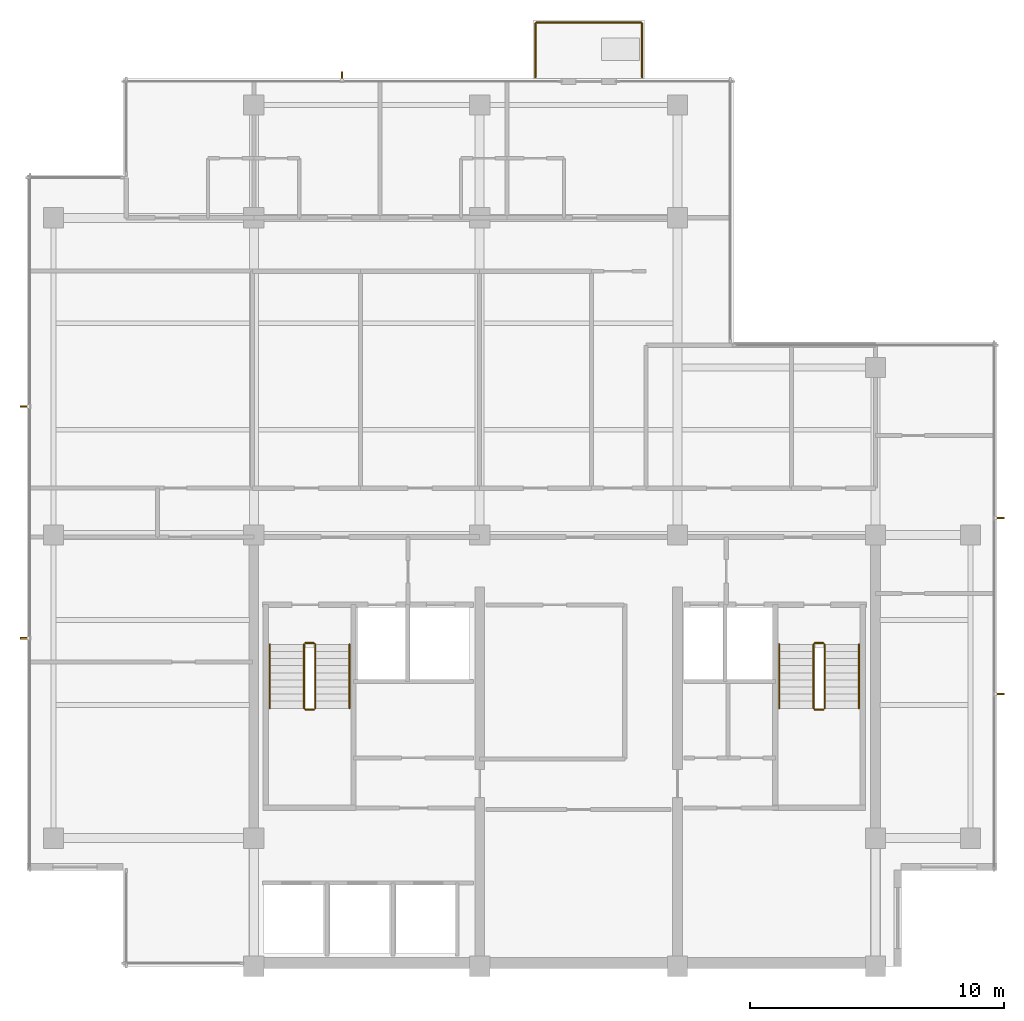
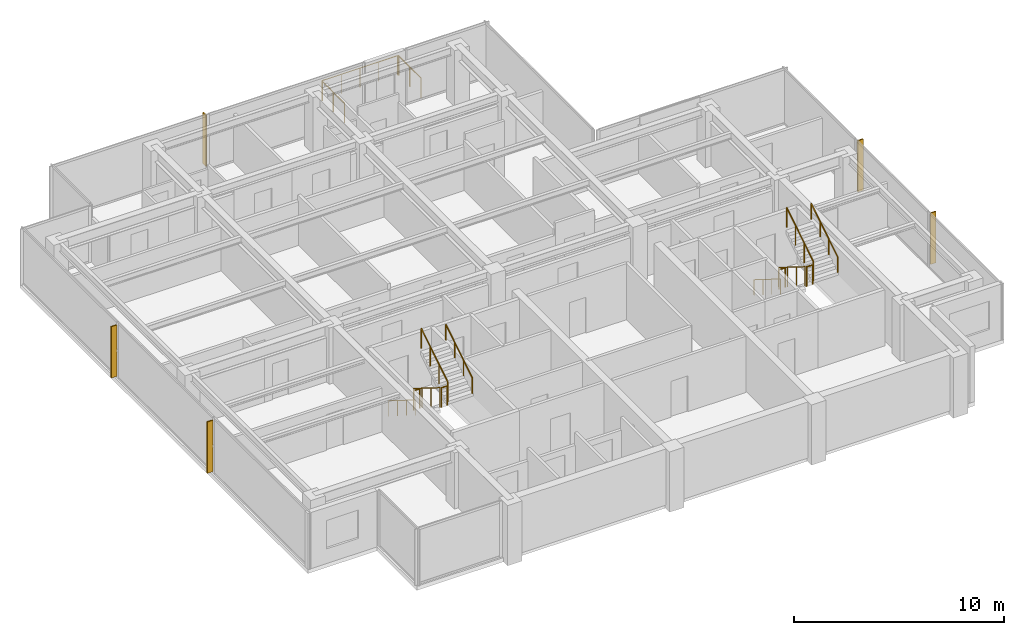
# One storey, part 11 of 11: 15 railings, 5 shading devices.
"""IFC4 building model written with IfcOpenShell, lengths in metres."""

from ifc_helpers import new_model, si_unit, direction, frame, origin, origin_2d, place, context, subcontext, project, spatial, polyline, circle, outline, extrude, material, layer, layer_set, type_object, element, save


model = new_model("IFC4")

# Units and contexts
model_context = context("Model", 3, precision=1e-05, world=origin(), true_north=direction((0.0, 1.0)))
body_context = subcontext(model_context, "Body", "Model", "MODEL_VIEW")
ifc_project = project(units=[si_unit("LENGTHUNIT", "METRE"), si_unit("AREAUNIT", "SQUARE_METRE"), si_unit("VOLUMEUNIT", "CUBIC_METRE"), si_unit("PLANEANGLEUNIT", "RADIAN"), si_unit("MASSUNIT", "GRAM", prefix="KILO")], contexts=[model_context])

# Site, building, storey
site_placement = place(None, origin())
site = spatial("IfcSite", under=ifc_project, at=site_placement, CompositionType="ELEMENT")
building_placement = place(site_placement, origin())
building = spatial("IfcBuilding", under=site, at=building_placement, Name="Qalmaran Belvedere Hotel", CompositionType="ELEMENT")
storey_placement = place(building_placement, frame((0.0, 0.0, 259.89990234375)))
storey = spatial("IfcBuildingStorey", under=building, at=storey_placement, Name="L67", CompositionType="ELEMENT", Elevation=259.89990234375)

# Shading devices
ifc_material_1 = material(Name="Anodised Bronze Aluminium", Category="aluminium")
ifc_layer = layer(ifc_material_1, 0.06494140625, Name="Anodised Bronze Aluminium")
ifc_layer_set = layer_set([ifc_layer], Name="Anodised Bronze Aluminium")
shading_device_type = type_object("IfcShadingDeviceType", Name="FIN-BRNZ-300", PredefinedType="USERDEFINED", material=ifc_layer_set)
shading_device_1_placement = place(storey_placement, frame((0.0, 0.0, 0.16015625)))
element("IfcShadingDevice", 1, at=shading_device_1_placement, inside=storey, type_object=shading_device_type, Name="L67 Bronze Fin 1", ObjectType="FIN", PredefinedType="USERDEFINED", context=body_context, shape_type="SweptSolid", body=[
    extrude(outline(polyline([(49.5673828125, 14.20068359375), (49.867431640625, 14.20068359375), (49.867431640625, 14.265869140625), (49.5673828125, 14.265869140625), (49.5673828125, 14.20068359375)])), origin(), (0.0, 0.0, 1.0), 2.97998046875),
])
shading_device_2_placement = place(storey_placement, frame((0.0, 0.0, 0.16015625)))
element("IfcShadingDevice", 2, at=shading_device_2_placement, inside=storey, type_object=shading_device_type, Name="L67 Bronze Fin 2", ObjectType="FIN", PredefinedType="USERDEFINED", context=body_context, shape_type="SweptSolid", body=[
    extrude(outline(polyline([(49.5673828125, 21.13427734375), (49.867431640625, 21.13427734375), (49.867431640625, 21.19921875), (49.5673828125, 21.19921875), (49.5673828125, 21.13427734375)])), origin(), (0.0, 0.0, 1.0), 2.97998046875),
])
shading_device_3_placement = place(storey_placement, frame((0.0, 0.0, 0.16015625)))
element("IfcShadingDevice", 3, at=shading_device_3_placement, inside=storey, type_object=shading_device_type, Name="L67 Bronze Fin 1", ObjectType="FIN", PredefinedType="USERDEFINED", context=body_context, shape_type="SweptSolid", body=[
    extrude(outline(polyline([(23.8076171875, 38.467529296875), (23.8076171875, 38.767578125), (23.742431640625, 38.767578125), (23.742431640625, 38.467529296875), (23.8076171875, 38.467529296875)])), origin(), (0.0, 0.0, 1.0), 2.97998046875),
])
shading_device_4_placement = place(storey_placement, frame((0.0, 0.0, 0.16015625)))
element("IfcShadingDevice", 4, at=shading_device_4_placement, inside=storey, type_object=shading_device_type, Name="L67 Bronze Fin 1", ObjectType="FIN", PredefinedType="USERDEFINED", context=body_context, shape_type="SweptSolid", body=[
    extrude(outline(polyline([(11.382568359375, 25.59912109375), (11.08251953125, 25.59912109375), (11.08251953125, 25.5341796875), (11.382568359375, 25.5341796875), (11.382568359375, 25.59912109375)])), origin(), (0.0, 0.0, 1.0), 2.97998046875),
])
shading_device_5_placement = place(storey_placement, frame((0.0, 0.0, 0.16015625)))
element("IfcShadingDevice", 5, at=shading_device_5_placement, inside=storey, type_object=shading_device_type, Name="L67 Bronze Fin 2", ObjectType="FIN", PredefinedType="USERDEFINED", context=body_context, shape_type="SweptSolid", body=[
    extrude(outline(polyline([(11.382568359375, 16.4658203125), (11.08251953125, 16.4658203125), (11.08251953125, 16.40087890625), (11.382568359375, 16.40087890625), (11.382568359375, 16.4658203125)])), origin(), (0.0, 0.0, 1.0), 2.97998046875),
])

# Railings
railing_type_1 = type_object("IfcRailingType", Name="GRD-BAL-1150", PredefinedType="BALUSTRADE", material=ifc_material_1)
railing_1_placement = place(storey_placement, frame((31.39990234375, 38.534912109375, 0.0)))
element("IfcRailing", 6, at=railing_1_placement, inside=storey, type_object=railing_type_1, Name="L67 Guardrail BAL-L67-N-1", PredefinedType="BALUSTRADE", context=body_context, shape_type="SweptSolid", body=[
    extrude(circle(Radius=0.02392578125, at=origin_2d()), frame((0.0, 0.0, 1.1259765625), z_axis=(0.0, 1.0, 0.0), x_axis=(-1.0, 0.0, 0.0)), (0.0, 0.0, 1.0), 2.130126953125),
    extrude(circle(Radius=0.02099609375, at=origin_2d()), origin(), (0.0, 0.0, 1.0), 1.101806640625),
    extrude(circle(Radius=0.02099609375, at=origin_2d()), frame((0.0, 1.06494140625, 0.0)), (0.0, 0.0, 1.0), 1.101806640625),
    extrude(circle(Radius=0.02099609375, at=origin_2d()), frame((0.0, 2.130126953125, 0.0)), (0.0, 0.0, 1.0), 1.101806640625),
])
railing_2_placement = place(storey_placement, frame((31.43505859375, 40.699951171875, 0.0)))
element("IfcRailing", 7, at=railing_2_placement, inside=storey, type_object=railing_type_1, Name="L67 Guardrail BAL-L67-N-2", PredefinedType="BALUSTRADE", context=body_context, shape_type="SweptSolid", body=[
    extrude(circle(Radius=0.02392578125, at=origin_2d()), frame((0.0, 0.0, 1.1259765625), z_axis=(1.0, 0.0, 0.0), x_axis=(0.0, 1.0, 0.0)), (0.0, 0.0, 1.0), 4.1298828125),
    extrude(circle(Radius=0.02099609375, at=origin_2d()), origin(), (0.0, 0.0, 1.0), 1.101806640625),
    extrude(circle(Radius=0.02099609375, at=origin_2d()), frame((1.032470703125, 0.0, 0.0)), (0.0, 0.0, 1.0), 1.101806640625),
    extrude(circle(Radius=0.02099609375, at=origin_2d()), frame((2.06494140625, 0.0, 0.0)), (0.0, 0.0, 1.0), 1.101806640625),
    extrude(circle(Radius=0.02099609375, at=origin_2d()), frame((3.097412109375, 0.0, 0.0)), (0.0, 0.0, 1.0), 1.101806640625),
    extrude(circle(Radius=0.02099609375, at=origin_2d()), frame((4.1298828125, 0.0, 0.0)), (0.0, 0.0, 1.0), 1.101806640625),
])
railing_3_placement = place(storey_placement, frame((35.60009765625, 40.6650390625, 0.0)))
element("IfcRailing", 8, at=railing_3_placement, inside=storey, type_object=railing_type_1, Name="L67 Guardrail BAL-L67-N-3", PredefinedType="BALUSTRADE", context=body_context, shape_type="SweptSolid", body=[
    extrude(circle(Radius=0.02392578125, at=origin_2d()), frame((0.0, 0.0, 1.1259765625), z_axis=(0.0, -1.0, 0.0), x_axis=(1.0, 0.0, 0.0)), (0.0, 0.0, 1.0), 2.130126953125),
    extrude(circle(Radius=0.02099609375, at=origin_2d()), origin(), (0.0, 0.0, 1.0), 1.101806640625),
    extrude(circle(Radius=0.02099609375, at=origin_2d()), frame((0.0, -1.06494140625, 0.0)), (0.0, 0.0, 1.0), 1.101806640625),
    extrude(circle(Radius=0.02099609375, at=origin_2d()), frame((0.0, -2.130126953125, 0.0)), (0.0, 0.0, 1.0), 1.101806640625),
])
ifc_material_2 = material(Name="Stainless Steel 1.4401", Category="steel")
railing_type_2 = type_object("IfcRailingType", Name="RLG-STAIR-GUARD-1150", PredefinedType="GUARDRAIL", material=ifc_material_2)
railing_4_placement = place(storey_placement, frame((22.280029296875, 16.18994140625, 0.175048828125)))
element("IfcRailing", 9, at=railing_4_placement, inside=storey, type_object=railing_type_2, Name="L67 ST-1 stair guard 1", PredefinedType="GUARDRAIL", context=body_context, shape_type="SweptSolid", body=[
    extrude(circle(Radius=0.02392578125, at=origin_2d()), frame((0.0, 0.0, 1.1259765625), z_axis=(0.0, -0.848007534815, 0.529984170421), x_axis=(1.0, 0.0, 0.0)), (0.0, 0.0, 1.0), 2.9716796875),
    extrude(circle(Radius=0.02099609375, at=origin_2d()), origin(), (0.0, 0.0, 1.0), 1.101806640625),
    extrude(circle(Radius=0.02099609375, at=origin_2d()), frame((0.0, -0.840087890625, 0.52490234375)), (0.0, 0.0, 1.0), 1.101806640625),
    extrude(circle(Radius=0.02099609375, at=origin_2d()), frame((0.0, -1.679931640625, 1.050048828125)), (0.0, 0.0, 1.0), 1.101806640625),
    extrude(circle(Radius=0.02099609375, at=origin_2d()), frame((0.0, -2.52001953125, 1.574951171875)), (0.0, 0.0, 1.0), 1.101806640625),
])
railing_5_placement = place(storey_placement, frame((22.330078125, 13.6201171875, 1.75)))
element("IfcRailing", 10, at=railing_5_placement, inside=storey, type_object=railing_type_2, Name="L67 ST-1 stair guard 2", PredefinedType="GUARDRAIL", context=body_context, shape_type="SweptSolid", body=[
    extrude(circle(Radius=0.02392578125, at=origin_2d()), frame((0.0, 0.0, 1.1259765625), z_axis=(1.0, 0.0, 0.0), x_axis=(0.0, 1.0, 0.0)), (0.0, 0.0, 1.0), 0.33984375),
    extrude(circle(Radius=0.02099609375, at=origin_2d()), origin(), (0.0, 0.0, 1.0), 1.101806640625),
    extrude(circle(Radius=0.02099609375, at=origin_2d()), frame((0.33984375, 0.0, 0.0)), (0.0, 0.0, 1.0), 1.101806640625),
])
railing_6_placement = place(storey_placement, frame((22.719970703125, 13.669921875, 1.925048828125)))
element("IfcRailing", 11, at=railing_6_placement, inside=storey, type_object=railing_type_2, Name="L67 ST-1 stair guard 3", PredefinedType="GUARDRAIL", context=body_context, shape_type="SweptSolid", body=[
    extrude(circle(Radius=0.02392578125, at=origin_2d()), frame((0.0, 0.0, 1.1259765625), z_axis=(0.0, 0.848007534815, 0.529984170421), x_axis=(-1.0, 0.0, 0.0)), (0.0, 0.0, 1.0), 2.9716796875),
    extrude(circle(Radius=0.02099609375, at=origin_2d()), origin(), (0.0, 0.0, 1.0), 1.101806640625),
    extrude(circle(Radius=0.02099609375, at=origin_2d()), frame((0.0, 0.840087890625, 0.52490234375)), (0.0, 0.0, 1.0), 1.101806640625),
    extrude(circle(Radius=0.02099609375, at=origin_2d()), frame((0.0, 1.679931640625, 1.050048828125)), (0.0, 0.0, 1.0), 1.101806640625),
    extrude(circle(Radius=0.02099609375, at=origin_2d()), frame((0.0, 2.52001953125, 1.574951171875)), (0.0, 0.0, 1.0), 1.101806640625),
])
railing_7_placement = place(storey_placement, frame((22.330078125, 16.239990234375, 0.0)))
element("IfcRailing", 12, at=railing_7_placement, inside=storey, type_object=railing_type_2, Name="L67 ST-1 stair guard 4", PredefinedType="GUARDRAIL", context=body_context, shape_type="SweptSolid", body=[
    extrude(circle(Radius=0.02392578125, at=origin_2d()), frame((0.0, 0.0, 1.1259765625), z_axis=(1.0, 0.0, 0.0), x_axis=(0.0, 1.0, 0.0)), (0.0, 0.0, 1.0), 0.33984375),
    extrude(circle(Radius=0.02099609375, at=origin_2d()), origin(), (0.0, 0.0, 1.0), 1.101806640625),
    extrude(circle(Radius=0.02099609375, at=origin_2d()), frame((0.33984375, 0.0, 0.0)), (0.0, 0.0, 1.0), 1.101806640625),
])
railing_8_placement = place(storey_placement, frame((42.360107421875, 16.18994140625, 0.175048828125)))
element("IfcRailing", 13, at=railing_8_placement, inside=storey, type_object=railing_type_2, Name="L67 ST-2 stair guard 1", PredefinedType="GUARDRAIL", context=body_context, shape_type="SweptSolid", body=[
    extrude(circle(Radius=0.02392578125, at=origin_2d()), frame((0.0, 0.0, 1.1259765625), z_axis=(0.0, -0.848007534815, 0.529984170421), x_axis=(1.0, 0.0, 0.0)), (0.0, 0.0, 1.0), 2.9716796875),
    extrude(circle(Radius=0.02099609375, at=origin_2d()), origin(), (0.0, 0.0, 1.0), 1.101806640625),
    extrude(circle(Radius=0.02099609375, at=origin_2d()), frame((0.0, -0.840087890625, 0.52490234375)), (0.0, 0.0, 1.0), 1.101806640625),
    extrude(circle(Radius=0.02099609375, at=origin_2d()), frame((0.0, -1.679931640625, 1.050048828125)), (0.0, 0.0, 1.0), 1.101806640625),
    extrude(circle(Radius=0.02099609375, at=origin_2d()), frame((0.0, -2.52001953125, 1.574951171875)), (0.0, 0.0, 1.0), 1.101806640625),
])
railing_9_placement = place(storey_placement, frame((42.409912109375, 13.6201171875, 1.75)))
element("IfcRailing", 14, at=railing_9_placement, inside=storey, type_object=railing_type_2, Name="L67 ST-2 stair guard 2", PredefinedType="GUARDRAIL", context=body_context, shape_type="SweptSolid", body=[
    extrude(circle(Radius=0.02392578125, at=origin_2d()), frame((0.0, 0.0, 1.1259765625), z_axis=(1.0, 0.0, 0.0), x_axis=(0.0, 1.0, 0.0)), (0.0, 0.0, 1.0), 0.340087890625),
    extrude(circle(Radius=0.02099609375, at=origin_2d()), origin(), (0.0, 0.0, 1.0), 1.101806640625),
    extrude(circle(Radius=0.02099609375, at=origin_2d()), frame((0.340087890625, 0.0, 0.0)), (0.0, 0.0, 1.0), 1.101806640625),
])
railing_10_placement = place(storey_placement, frame((42.800048828125, 13.669921875, 1.925048828125)))
element("IfcRailing", 15, at=railing_10_placement, inside=storey, type_object=railing_type_2, Name="L67 ST-2 stair guard 3", PredefinedType="GUARDRAIL", context=body_context, shape_type="SweptSolid", body=[
    extrude(circle(Radius=0.02392578125, at=origin_2d()), frame((0.0, 0.0, 1.1259765625), z_axis=(0.0, 0.848007534815, 0.529984170421), x_axis=(-1.0, 0.0, 0.0)), (0.0, 0.0, 1.0), 2.9716796875),
    extrude(circle(Radius=0.02099609375, at=origin_2d()), origin(), (0.0, 0.0, 1.0), 1.101806640625),
    extrude(circle(Radius=0.02099609375, at=origin_2d()), frame((0.0, 0.840087890625, 0.52490234375)), (0.0, 0.0, 1.0), 1.101806640625),
    extrude(circle(Radius=0.02099609375, at=origin_2d()), frame((0.0, 1.679931640625, 1.050048828125)), (0.0, 0.0, 1.0), 1.101806640625),
    extrude(circle(Radius=0.02099609375, at=origin_2d()), frame((0.0, 2.52001953125, 1.574951171875)), (0.0, 0.0, 1.0), 1.101806640625),
])
railing_11_placement = place(storey_placement, frame((42.409912109375, 16.239990234375, 0.0)))
element("IfcRailing", 16, at=railing_11_placement, inside=storey, type_object=railing_type_2, Name="L67 ST-2 stair guard 4", PredefinedType="GUARDRAIL", context=body_context, shape_type="SweptSolid", body=[
    extrude(circle(Radius=0.02392578125, at=origin_2d()), frame((0.0, 0.0, 1.1259765625), z_axis=(1.0, 0.0, 0.0), x_axis=(0.0, 1.0, 0.0)), (0.0, 0.0, 1.0), 0.340087890625),
    extrude(circle(Radius=0.02099609375, at=origin_2d()), origin(), (0.0, 0.0, 1.0), 1.101806640625),
    extrude(circle(Radius=0.02099609375, at=origin_2d()), frame((0.340087890625, 0.0, 0.0)), (0.0, 0.0, 1.0), 1.101806640625),
])
railing_type_3 = type_object("IfcRailingType", Name="RLG-STAIR-HAND-910", PredefinedType="HANDRAIL", material=ifc_material_2)
railing_12_placement = place(storey_placement, frame((20.929931640625, 16.18994140625, 0.175048828125)))
element("IfcRailing", 17, at=railing_12_placement, inside=storey, type_object=railing_type_3, Name="L67 ST-1 stair handrail 1", PredefinedType="HANDRAIL", context=body_context, shape_type="SweptSolid", body=[
    extrude(circle(Radius=0.02392578125, at=origin_2d()), frame((0.0, 0.0, 0.8857421875), z_axis=(0.0, -0.848007534815, 0.529984170421), x_axis=(1.0, 0.0, 0.0)), (0.0, 0.0, 1.0), 2.9716796875),
    extrude(circle(Radius=0.02099609375, at=origin_2d()), origin(), (0.0, 0.0, 1.0), 0.86181640625),
    extrude(circle(Radius=0.02099609375, at=origin_2d()), frame((0.0, -0.840087890625, 0.52490234375)), (0.0, 0.0, 1.0), 0.86181640625),
    extrude(circle(Radius=0.02099609375, at=origin_2d()), frame((0.0, -1.679931640625, 1.050048828125)), (0.0, 0.0, 1.0), 0.86181640625),
    extrude(circle(Radius=0.02099609375, at=origin_2d()), frame((0.0, -2.52001953125, 1.574951171875)), (0.0, 0.0, 1.0), 0.86181640625),
])
railing_13_placement = place(storey_placement, frame((24.070068359375, 13.669921875, 1.925048828125)))
element("IfcRailing", 18, at=railing_13_placement, inside=storey, type_object=railing_type_3, Name="L67 ST-1 stair handrail 2", PredefinedType="HANDRAIL", context=body_context, shape_type="SweptSolid", body=[
    extrude(circle(Radius=0.02392578125, at=origin_2d()), frame((0.0, 0.0, 0.8857421875), z_axis=(0.0, 0.848007534815, 0.529984170421), x_axis=(-1.0, 0.0, 0.0)), (0.0, 0.0, 1.0), 2.9716796875),
    extrude(circle(Radius=0.02099609375, at=origin_2d()), origin(), (0.0, 0.0, 1.0), 0.86181640625),
    extrude(circle(Radius=0.02099609375, at=origin_2d()), frame((0.0, 0.840087890625, 0.52490234375)), (0.0, 0.0, 1.0), 0.86181640625),
    extrude(circle(Radius=0.02099609375, at=origin_2d()), frame((0.0, 1.679931640625, 1.050048828125)), (0.0, 0.0, 1.0), 0.86181640625),
    extrude(circle(Radius=0.02099609375, at=origin_2d()), frame((0.0, 2.52001953125, 1.574951171875)), (0.0, 0.0, 1.0), 0.86181640625),
])
railing_14_placement = place(storey_placement, frame((41.010009765625, 16.18994140625, 0.175048828125)))
element("IfcRailing", 19, at=railing_14_placement, inside=storey, type_object=railing_type_3, Name="L67 ST-2 stair handrail 1", PredefinedType="HANDRAIL", context=body_context, shape_type="SweptSolid", body=[
    extrude(circle(Radius=0.02392578125, at=origin_2d()), frame((0.0, 0.0, 0.8857421875), z_axis=(0.0, -0.848007534815, 0.529984170421), x_axis=(1.0, 0.0, 0.0)), (0.0, 0.0, 1.0), 2.9716796875),
    extrude(circle(Radius=0.02099609375, at=origin_2d()), origin(), (0.0, 0.0, 1.0), 0.86181640625),
    extrude(circle(Radius=0.02099609375, at=origin_2d()), frame((0.0, -0.840087890625, 0.52490234375)), (0.0, 0.0, 1.0), 0.86181640625),
    extrude(circle(Radius=0.02099609375, at=origin_2d()), frame((0.0, -1.679931640625, 1.050048828125)), (0.0, 0.0, 1.0), 0.86181640625),
    extrude(circle(Radius=0.02099609375, at=origin_2d()), frame((0.0, -2.52001953125, 1.574951171875)), (0.0, 0.0, 1.0), 0.86181640625),
])
railing_15_placement = place(storey_placement, frame((44.14990234375, 13.669921875, 1.925048828125)))
element("IfcRailing", 20, at=railing_15_placement, inside=storey, type_object=railing_type_3, Name="L67 ST-2 stair handrail 2", PredefinedType="HANDRAIL", context=body_context, shape_type="SweptSolid", body=[
    extrude(circle(Radius=0.02392578125, at=origin_2d()), frame((0.0, 0.0, 0.8857421875), z_axis=(0.0, 0.848007534815, 0.529984170421), x_axis=(-1.0, 0.0, 0.0)), (0.0, 0.0, 1.0), 2.9716796875),
    extrude(circle(Radius=0.02099609375, at=origin_2d()), origin(), (0.0, 0.0, 1.0), 0.86181640625),
    extrude(circle(Radius=0.02099609375, at=origin_2d()), frame((0.0, 0.840087890625, 0.52490234375)), (0.0, 0.0, 1.0), 0.86181640625),
    extrude(circle(Radius=0.02099609375, at=origin_2d()), frame((0.0, 1.679931640625, 1.050048828125)), (0.0, 0.0, 1.0), 0.86181640625),
    extrude(circle(Radius=0.02099609375, at=origin_2d()), frame((0.0, 2.52001953125, 1.574951171875)), (0.0, 0.0, 1.0), 0.86181640625),
])

save(model, "model.ifc")
